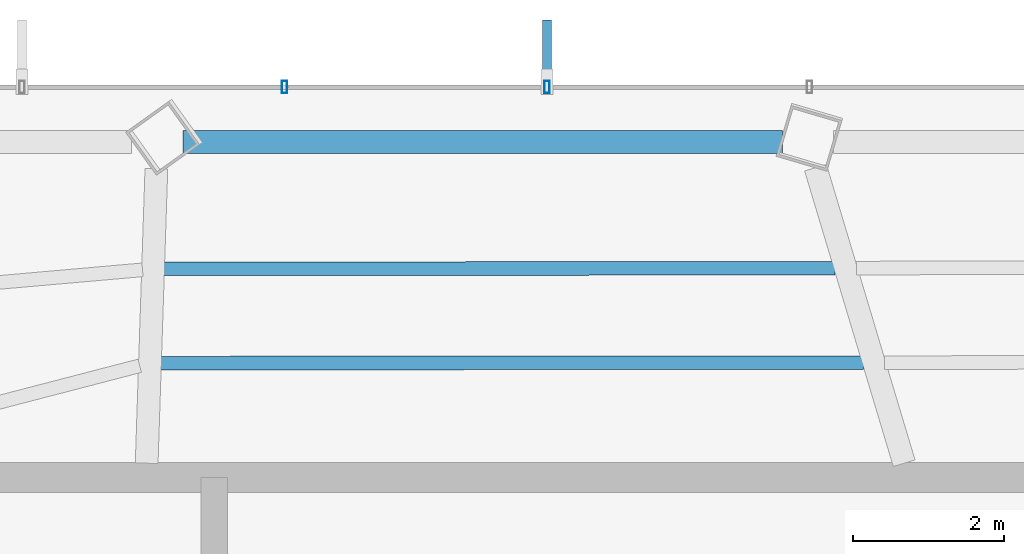
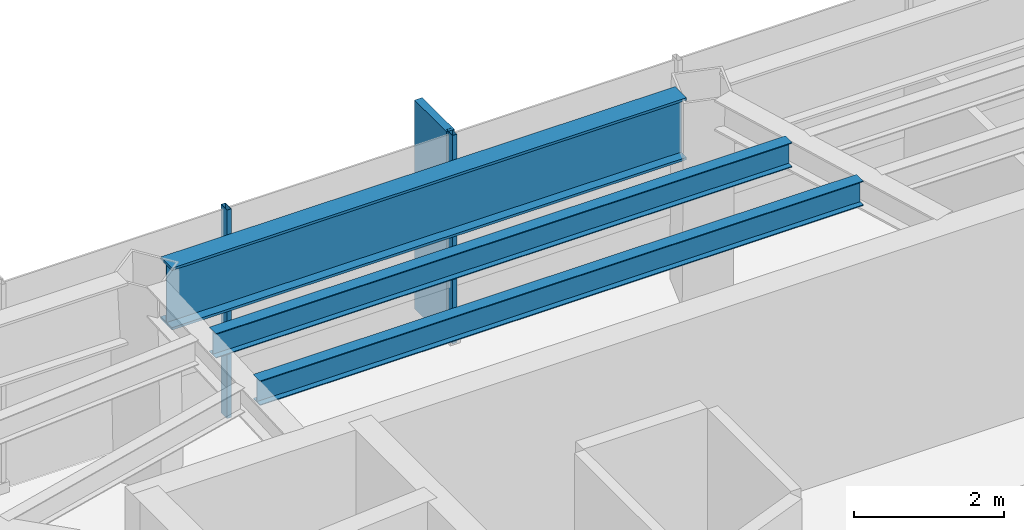
# One storey, part 12 of 28: 3 beams, 3 members, 1 element without a shape of its own.
"""IFC4 building model written with IfcOpenShell, lengths in metres."""

from ifc_helpers import new_model, si_unit, direction, frame, origin, origin_2d, place, context, subcontext, project, spatial, rectangle, hollow_rectangle, i_section, extrude, material, layer, layer_set, material_profile, profile_set, type_object, element, aggregate, save


model = new_model("IFC4")

# Units and contexts
model_context = context("Model", 3, precision=1e-05, world=origin(), true_north=direction((0.0, 1.0)))
body_context = subcontext(model_context, "Body", "Model", "MODEL_VIEW")
ifc_project = project(units=[si_unit("LENGTHUNIT", "METRE"), si_unit("AREAUNIT", "SQUARE_METRE"), si_unit("VOLUMEUNIT", "CUBIC_METRE"), si_unit("PLANEANGLEUNIT", "RADIAN"), si_unit("MASSUNIT", "GRAM", prefix="KILO")], contexts=[model_context])

# Site, building, storey
site_placement = place(None, origin())
site = spatial("IfcSite", under=ifc_project, at=site_placement, CompositionType="ELEMENT")
building_placement = place(site_placement, origin())
building = spatial("IfcBuilding", under=site, at=building_placement, Name="Zarrinselat Tower", CompositionType="ELEMENT")
storey_placement = place(building_placement, frame((0.0, 0.0, 190.739990234375)))
storey = spatial("IfcBuildingStorey", under=building, at=storey_placement, Name="L47", CompositionType="ELEMENT", Elevation=190.739990234375)

# Beams
ifc_material_1 = material(Name="Steel S460M", Category="steel")
ifc_material_profile_1 = material_profile(ifc_material_1, i_section(OverallWidth=0.302001953125, OverallDepth=1.008056640625, WebThickness=0.02099609375, FlangeThickness=0.0400390625, at=origin_2d()), Name="HEM 1000")
ifc_profile_set_1 = profile_set([ifc_material_profile_1], Name="Steel S460M")
beam_type_1 = type_object("IfcBeamType", Name="BM-HEM1000", PredefinedType="BEAM", material=ifc_profile_set_1)
beam_1_placement = place(storey_placement, frame((31.477783203125, 47.8779296875, 2.885986328125), z_axis=(1.0, 0.0, 0.0), x_axis=(0.0, 1.0, 0.0)))
element("IfcBeam", 1, at=beam_1_placement, inside=storey, type_object=beam_type_1, Name="L47 Perimeter Spandrel Girder SP03", PredefinedType="BEAM", context=body_context, shape_type="SweptSolid", body=[
    extrude(i_section(OverallWidth=0.302001953125, OverallDepth=1.008056640625, WebThickness=0.02099609375, FlangeThickness=0.0400390625, at=origin_2d()), origin(), (0.0, 0.0, 1.0), 7.913330078125),
])
ifc_material_2 = material(Name="Steel S355J2", Category="steel")
ifc_material_profile_2 = material_profile(ifc_material_2, i_section(OverallWidth=0.179931640625, OverallDepth=0.39990234375, WebThickness=0.008544921875, FlangeThickness=0.013427734375, at=origin_2d()), Name="IPE 400")
ifc_profile_set_2 = profile_set([ifc_material_profile_2], Name="Steel S355J2")
beam_type_2 = type_object("IfcBeamType", Name="BM-IPE400", PredefinedType="JOIST", material=ifc_profile_set_2)
beam_2_placement = place(storey_placement, frame((31.224609375, 46.205078125, 3.18994140625), z_axis=(0.999999452193, 0.001046716042, 0.0), x_axis=(-0.001046716042, 0.999999452193, 0.0)))
element("IfcBeam", 2, at=beam_2_placement, inside=storey, type_object=beam_type_2, Name="L47 Composite Floor Joist 8-1", PredefinedType="JOIST", context=body_context, shape_type="SweptSolid", body=[
    extrude(i_section(OverallWidth=0.179931640625, OverallDepth=0.39990234375, WebThickness=0.008544921875, FlangeThickness=0.013427734375, at=origin_2d()), origin(), (0.0, 0.0, 1.0), 8.86328125),
])
beam_3_placement = place(storey_placement, frame((31.18359375, 44.961181640625, 3.18994140625), z_axis=(0.999999847347, 0.000552544251, 0.0), x_axis=(-0.000552544251, 0.999999847347, 0.0)))
element("IfcBeam", 3, at=beam_3_placement, inside=storey, type_object=beam_type_2, Name="L47 Composite Floor Joist 8-2", PredefinedType="JOIST", context=body_context, shape_type="SweptSolid", body=[
    extrude(i_section(OverallWidth=0.179931640625, OverallDepth=0.39990234375, WebThickness=0.008544921875, FlangeThickness=0.013427734375, at=origin_2d()), origin(), (0.0, 0.0, 1.0), 9.27880859375),
])

# Curtain wall, members
ifc_material_3 = material(Name="Extruded Aluminium Alloy EN AW-6063 T6", Category="aluminium")
ifc_layer = layer(ifc_material_3, 0.175048828125)
ifc_layer_set = layer_set([ifc_layer], Name="Extruded Aluminium Alloy EN AW-6063 T6")
curtain_wall_type = type_object("IfcCurtainWallType", Name="CWS-HTL", PredefinedType="NOTDEFINED", material=ifc_layer_set)
curtain_wall_placement = place(storey_placement, origin())
curtain_wall = element("IfcCurtainWall", 4, at=curtain_wall_placement, inside=storey, type_object=curtain_wall_type, Name="L47 Unitised Curtain Wall CW-L47-E01", PredefinedType="NOTDEFINED")
ifc_material_4 = material(Name="Extruded Aluminium Alloy EN AW-6063 T6", Category="aluminium")
ifc_material_profile_3 = material_profile(ifc_material_4, hollow_rectangle(XDim=0.070068359375, YDim=0.159912109375, WallThickness=0.00390625, at=origin_2d()), Name="RHS 160x70x4")
ifc_profile_set_3 = profile_set([ifc_material_profile_3], Name="Extruded Aluminium Alloy EN AW-6063 T6")
member_type_1 = type_object("IfcMemberType", Name="MEM-CW-MUL2", PredefinedType="MULLION", material=ifc_profile_set_3)
member_1_placement = place(storey_placement, frame((36.2861328125, 48.605712890625, 0.0), z_axis=(0.0, 0.0, 1.0), x_axis=(-1.0, 0.0, 0.0)))
member_1 = element("IfcMember", 5, at=member_1_placement, type_object=member_type_1, Name="CW-L47-E01 Mullion 7", PredefinedType="MULLION", context=body_context, shape_type="SweptSolid", body=[
    extrude(hollow_rectangle(XDim=0.070068359375, YDim=0.159912109375, WallThickness=0.00390625, at=origin_2d()), origin(), (0.0, 0.0, 1.0), 3.389892578125),
])
member_2_placement = place(storey_placement, frame((32.820068359375, 48.605712890625, 0.0), z_axis=(0.0, 0.0, 1.0), x_axis=(-1.0, 0.0, 0.0)))
member_2 = element("IfcMember", 6, at=member_2_placement, type_object=member_type_1, Name="CW-L47-E01 Mullion 8", PredefinedType="MULLION", context=body_context, shape_type="SweptSolid", body=[
    extrude(hollow_rectangle(XDim=0.070068359375, YDim=0.159912109375, WallThickness=0.00390625, at=origin_2d()), origin(), (0.0, 0.0, 1.0), 3.389892578125),
])
ifc_material_5 = material(Name="Honed Cream Travertine Stone", Category="masonry")
ifc_material_profile_4 = material_profile(ifc_material_5, rectangle(XDim=0.1201171875, YDim=0.85009765625, at=origin_2d()), Name="FIN 850x120")
ifc_profile_set_4 = profile_set([ifc_material_profile_4], Name="Honed Cream Travertine Stone")
member_type_2 = type_object("IfcMemberType", Name="MEM-STONE-FIN", PredefinedType="USERDEFINED", material=ifc_profile_set_4)
member_3_placement = place(storey_placement, frame((36.2861328125, 49.065673828125, 0.0), z_axis=(0.0, 0.0, 1.0), x_axis=(1.0, 0.0, 0.0)))
member_3 = element("IfcMember", 7, at=member_3_placement, type_object=member_type_2, Name="L47 Stone Shading Fin CW-L47-E01-07", ObjectType="FIN", PredefinedType="USERDEFINED", context=body_context, shape_type="SweptSolid", body=[
    extrude(rectangle(XDim=0.1201171875, YDim=0.85009765625, at=origin_2d()), origin(), (0.0, 0.0, 1.0), 3.389892578125),
])
aggregate(curtain_wall, [member_1, member_3, member_2])

save(model, "model.ifc")
